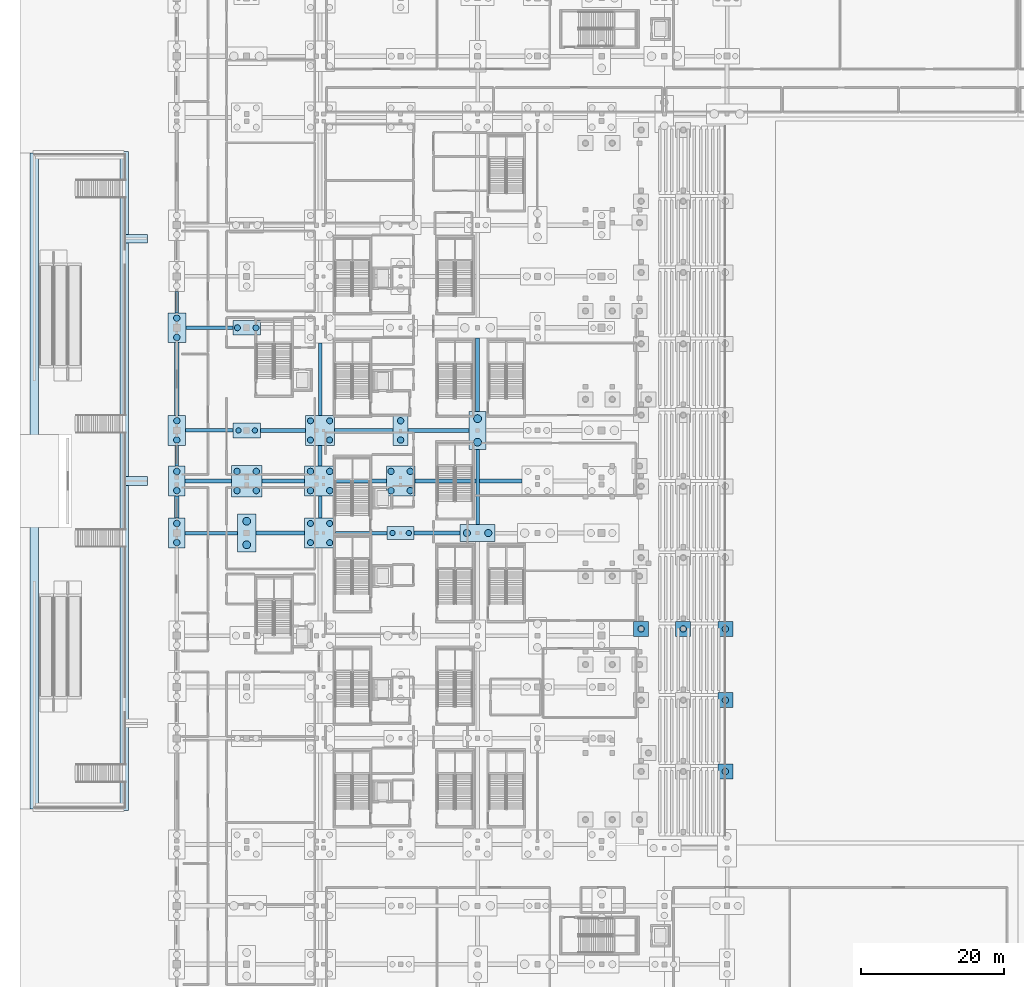
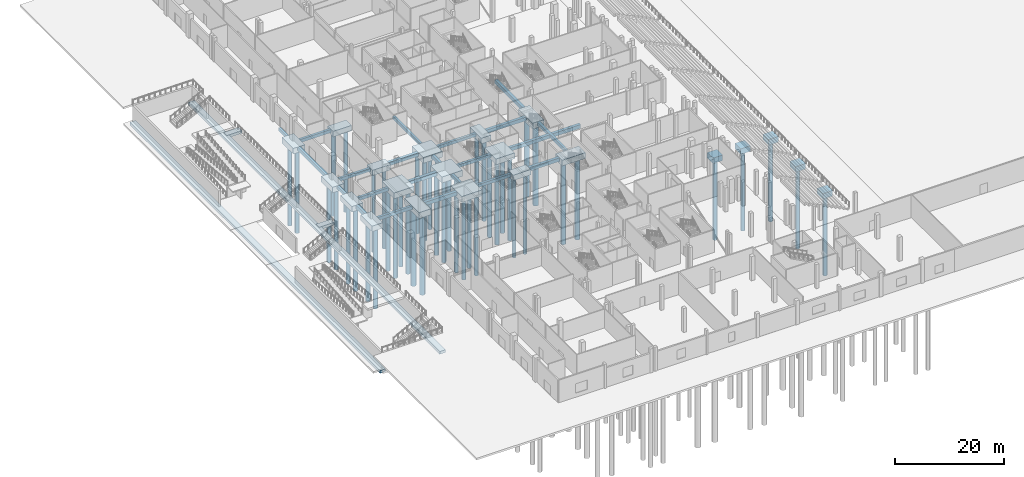
# One storey, part 4 of 89: 47 footings, 47 piles.
"""IFC4 building model written with IfcOpenShell, lengths in metres."""

from ifc_helpers import new_model, si_unit, direction, frame, origin, origin_2d, place, context, subcontext, project, spatial, rectangle, circle, extrude, material, material_profile, profile_set, type_object, element, save


model = new_model("IFC4")

# Units and contexts
model_context = context("Model", 3, precision=1e-05, world=origin(), true_north=direction((0.0, 1.0)))
body_context = subcontext(model_context, "Body", "Model", "MODEL_VIEW")
ifc_project = project(units=[si_unit("LENGTHUNIT", "METRE"), si_unit("AREAUNIT", "SQUARE_METRE"), si_unit("VOLUMEUNIT", "CUBIC_METRE"), si_unit("PLANEANGLEUNIT", "RADIAN"), si_unit("MASSUNIT", "GRAM", prefix="KILO")], contexts=[model_context])

# Site, building, storey
site_placement = place(None, origin())
site = spatial("IfcSite", under=ifc_project, at=site_placement, CompositionType="ELEMENT")
building_placement = place(site_placement, origin())
building = spatial("IfcBuilding", under=site, at=building_placement, Name="Koshinbarg Plaza Stadium", CompositionType="ELEMENT")
storey_placement = place(building_placement, origin())
storey = spatial("IfcBuildingStorey", under=building, at=storey_placement, Name="L00", CompositionType="ELEMENT", Elevation=0.0)

# Footings
ifc_material = material(Name="Concrete C35/45", Category="concrete")
ifc_material_profile_1 = material_profile(ifc_material, rectangle(XDim=0.5, YDim=0.699951171875, at=origin_2d()), Name="GB 500x700")
ifc_profile_set_1 = profile_set([ifc_material_profile_1], Name="Concrete C35/45")
footing_type_1 = type_object("IfcFootingType", Name="FT-GB-01", PredefinedType="FOOTING_BEAM", material=ifc_profile_set_1)
footing_1_placement = place(storey_placement, frame((5.139892578125, 68.699951171875, -0.75), z_axis=(1.0, 0.0, 0.0), x_axis=(0.0, 1.0, 0.0)))
element("IfcFooting", 1, at=footing_1_placement, inside=storey, type_object=footing_type_1, Name="Ground footing beam GB-X-089", PredefinedType="FOOTING_BEAM", context=body_context, shape_type="SweptSolid", body=[
    extrude(rectangle(XDim=0.5, YDim=0.699951171875, at=origin_2d()), origin(), (0.0, 0.0, 1.0), 7.380126953125),
])
footing_2_placement = place(storey_placement, frame((26.27001953125, 68.699951171875, -0.800048828125), z_axis=(1.0, 0.0, 0.0), x_axis=(0.0, 1.0, 0.0)))
element("IfcFooting", 2, at=footing_2_placement, inside=storey, type_object=footing_type_1, Name="Ground footing beam GB-X-091", PredefinedType="FOOTING_BEAM", context=body_context, shape_type="SweptSolid", body=[
    extrude(rectangle(XDim=0.5, YDim=0.699951171875, at=origin_2d()), origin(), (0.0, 0.0, 1.0), 7.219970703125),
])
footing_3_placement = place(storey_placement, frame((5.179931640625, 76.0, -0.75), z_axis=(1.0, 0.0, 0.0), x_axis=(0.0, 1.0, 0.0)))
element("IfcFooting", 3, at=footing_3_placement, inside=storey, type_object=footing_type_1, Name="Ground footing beam GB-X-099", PredefinedType="FOOTING_BEAM", context=body_context, shape_type="SweptSolid", body=[
    extrude(rectangle(XDim=0.5, YDim=0.699951171875, at=origin_2d()), origin(), (0.0, 0.0, 1.0), 6.5),
])
footing_4_placement = place(storey_placement, frame((26.31005859375, 76.0, -0.800048828125), z_axis=(1.0, 0.0, 0.0), x_axis=(0.0, 1.0, 0.0)))
element("IfcFooting", 4, at=footing_4_placement, inside=storey, type_object=footing_type_1, Name="Ground footing beam GB-X-101", PredefinedType="FOOTING_BEAM", context=body_context, shape_type="SweptSolid", body=[
    extrude(rectangle(XDim=0.5, YDim=0.699951171875, at=origin_2d()), origin(), (0.0, 0.0, 1.0), 7.08984375),
])
footing_5_placement = place(storey_placement, frame((5.219970703125, 83.10009765625, -0.75), z_axis=(1.0, 0.0, 0.0), x_axis=(0.0, 1.0, 0.0)))
element("IfcFooting", 5, at=footing_5_placement, inside=storey, type_object=footing_type_1, Name="Ground footing beam GB-X-107", PredefinedType="FOOTING_BEAM", context=body_context, shape_type="SweptSolid", body=[
    extrude(rectangle(XDim=0.5, YDim=0.699951171875, at=origin_2d()), origin(), (0.0, 0.0, 1.0), 6.669921875),
])
footing_6_placement = place(storey_placement, frame((26.14990234375, 83.10009765625, -0.800048828125), z_axis=(1.0, 0.0, 0.0), x_axis=(0.0, 1.0, 0.0)))
element("IfcFooting", 6, at=footing_6_placement, inside=storey, type_object=footing_type_1, Name="Ground footing beam GB-X-109", PredefinedType="FOOTING_BEAM", context=body_context, shape_type="SweptSolid", body=[
    extrude(rectangle(XDim=0.5, YDim=0.699951171875, at=origin_2d()), origin(), (0.0, 0.0, 1.0), 8.210205078125),
])
footing_7_placement = place(storey_placement, frame((5.260009765625, 97.5, -0.75), z_axis=(1.0, 0.0, 0.0), x_axis=(0.0, 1.0, 0.0)))
element("IfcFooting", 7, at=footing_7_placement, inside=storey, type_object=footing_type_1, Name="Ground footing beam GB-X-117", PredefinedType="FOOTING_BEAM", context=body_context, shape_type="SweptSolid", body=[
    extrude(rectangle(XDim=0.5, YDim=0.699951171875, at=origin_2d()), origin(), (0.0, 0.0, 1.0), 6.590087890625),
])
footing_8_placement = place(storey_placement, frame((4.0, 78.090087890625, -0.75), z_axis=(0.0, 1.0, 0.0), x_axis=(-1.0, 0.0, 0.0)))
element("IfcFooting", 8, at=footing_8_placement, inside=storey, type_object=footing_type_1, Name="Ground footing beam GB-Y-197", PredefinedType="FOOTING_BEAM", context=body_context, shape_type="SweptSolid", body=[
    extrude(rectangle(XDim=0.5, YDim=0.699951171875, at=origin_2d()), origin(), (0.0, 0.0, 1.0), 2.919921875),
])
footing_9_placement = place(storey_placement, frame((4.0, 99.590087890625, -0.75), z_axis=(0.0, 1.0, 0.0), x_axis=(-1.0, 0.0, 0.0)))
element("IfcFooting", 9, at=footing_9_placement, inside=storey, type_object=footing_type_1, Name="Ground footing beam GB-Y-199", PredefinedType="FOOTING_BEAM", context=body_context, shape_type="SweptSolid", body=[
    extrude(rectangle(XDim=0.5, YDim=0.699951171875, at=origin_2d()), origin(), (0.0, 0.0, 1.0), 2.97998046875),
])
footing_10_placement = place(storey_placement, frame((24.10009765625, 70.780029296875, -0.800048828125), z_axis=(0.0, 1.0, 0.0), x_axis=(-1.0, 0.0, 0.0)))
element("IfcFooting", 10, at=footing_10_placement, inside=storey, type_object=footing_type_1, Name="Ground footing beam GB-Y-211", PredefinedType="FOOTING_BEAM", context=body_context, shape_type="SweptSolid", body=[
    extrude(rectangle(XDim=0.5, YDim=0.699951171875, at=origin_2d()), origin(), (0.0, 0.0, 1.0), 3.090087890625),
])
footing_11_placement = place(storey_placement, frame((24.10009765625, 85.219970703125, -0.800048828125), z_axis=(0.0, 1.0, 0.0), x_axis=(-1.0, 0.0, 0.0)))
element("IfcFooting", 11, at=footing_11_placement, inside=storey, type_object=footing_type_1, Name="Ground footing beam GB-Y-213", PredefinedType="FOOTING_BEAM", context=body_context, shape_type="SweptSolid", body=[
    extrude(rectangle(XDim=0.5, YDim=0.699951171875, at=origin_2d()), origin(), (0.0, 0.0, 1.0), 10.159912109375),
])
footing_12_placement = place(storey_placement, frame((46.199951171875, 69.919921875, -0.800048828125), z_axis=(0.0, 1.0, 0.0), x_axis=(-1.0, 0.0, 0.0)))
element("IfcFooting", 12, at=footing_12_placement, inside=storey, type_object=footing_type_1, Name="Ground footing beam GB-Y-225", PredefinedType="FOOTING_BEAM", context=body_context, shape_type="SweptSolid", body=[
    extrude(rectangle(XDim=0.5, YDim=0.699951171875, at=origin_2d()), origin(), (0.0, 0.0, 1.0), 10.52001953125),
])
ifc_material_profile_2 = material_profile(ifc_material, rectangle(XDim=0.60009765625, YDim=0.800048828125, at=origin_2d()), Name="GB 600x800")
ifc_profile_set_2 = profile_set([ifc_material_profile_2], Name="Concrete C35/45")
footing_type_2 = type_object("IfcFootingType", Name="FT-GB-02", PredefinedType="FOOTING_BEAM", material=ifc_profile_set_2)
footing_13_placement = place(storey_placement, frame((15.080078125, 68.699951171875, -0.85009765625), z_axis=(1.0, 0.0, 0.0), x_axis=(0.0, 1.0, 0.0)))
element("IfcFooting", 13, at=footing_13_placement, inside=storey, type_object=footing_type_2, Name="Ground footing beam GB-X-090", PredefinedType="FOOTING_BEAM", context=body_context, shape_type="SweptSolid", body=[
    extrude(rectangle(XDim=0.60009765625, YDim=0.800048828125, at=origin_2d()), origin(), (0.0, 0.0, 1.0), 6.849853515625),
])
footing_14_placement = place(storey_placement, frame((37.31005859375, 68.699951171875, -0.85009765625), z_axis=(1.0, 0.0, 0.0), x_axis=(0.0, 1.0, 0.0)))
element("IfcFooting", 14, at=footing_14_placement, inside=storey, type_object=footing_type_2, Name="Ground footing beam GB-X-092", PredefinedType="FOOTING_BEAM", context=body_context, shape_type="SweptSolid", body=[
    extrude(rectangle(XDim=0.60009765625, YDim=0.800048828125, at=origin_2d()), origin(), (0.0, 0.0, 1.0), 6.429931640625),
])
footing_15_placement = place(storey_placement, frame((15.919921875, 76.0, -0.85009765625), z_axis=(1.0, 0.0, 0.0), x_axis=(0.0, 1.0, 0.0)))
element("IfcFooting", 15, at=footing_15_placement, inside=storey, type_object=footing_type_2, Name="Ground footing beam GB-X-100", PredefinedType="FOOTING_BEAM", context=body_context, shape_type="SweptSolid", body=[
    extrude(rectangle(XDim=0.60009765625, YDim=0.800048828125, at=origin_2d()), origin(), (0.0, 0.0, 1.0), 5.969970703125),
])
footing_16_placement = place(storey_placement, frame((37.39990234375, 76.0, -0.85009765625), z_axis=(1.0, 0.0, 0.0), x_axis=(0.0, 1.0, 0.0)))
element("IfcFooting", 16, at=footing_16_placement, inside=storey, type_object=footing_type_2, Name="Ground footing beam GB-X-102", PredefinedType="FOOTING_BEAM", context=body_context, shape_type="SweptSolid", body=[
    extrude(rectangle(XDim=0.60009765625, YDim=0.800048828125, at=origin_2d()), origin(), (0.0, 0.0, 1.0), 15.0400390625),
])
footing_17_placement = place(storey_placement, frame((15.7099609375, 83.10009765625, -0.85009765625), z_axis=(1.0, 0.0, 0.0), x_axis=(0.0, 1.0, 0.0)))
element("IfcFooting", 17, at=footing_17_placement, inside=storey, type_object=footing_type_2, Name="Ground footing beam GB-X-108", PredefinedType="FOOTING_BEAM", context=body_context, shape_type="SweptSolid", body=[
    extrude(rectangle(XDim=0.60009765625, YDim=0.800048828125, at=origin_2d()), origin(), (0.0, 0.0, 1.0), 6.340087890625),
])
footing_18_placement = place(storey_placement, frame((36.43994140625, 83.10009765625, -0.85009765625), z_axis=(1.0, 0.0, 0.0), x_axis=(0.0, 1.0, 0.0)))
element("IfcFooting", 18, at=footing_18_placement, inside=storey, type_object=footing_type_2, Name="Ground footing beam GB-X-110", PredefinedType="FOOTING_BEAM", context=body_context, shape_type="SweptSolid", body=[
    extrude(rectangle(XDim=0.60009765625, YDim=0.800048828125, at=origin_2d()), origin(), (0.0, 0.0, 1.0), 8.56005859375),
])
footing_19_placement = place(storey_placement, frame((4.0, 70.7900390625, -0.800048828125), z_axis=(0.0, 1.0, 0.0), x_axis=(-1.0, 0.0, 0.0)))
element("IfcFooting", 19, at=footing_19_placement, inside=storey, type_object=footing_type_2, Name="Ground footing beam GB-Y-196", PredefinedType="FOOTING_BEAM", context=body_context, shape_type="SweptSolid", body=[
    extrude(rectangle(XDim=0.60009765625, YDim=0.800048828125, at=origin_2d()), origin(), (0.0, 0.0, 1.0), 3.119873046875),
])
footing_20_placement = place(storey_placement, frame((4.0, 85.18994140625, -0.800048828125), z_axis=(0.0, 1.0, 0.0), x_axis=(-1.0, 0.0, 0.0)))
element("IfcFooting", 20, at=footing_20_placement, inside=storey, type_object=footing_type_2, Name="Ground footing beam GB-Y-198", PredefinedType="FOOTING_BEAM", context=body_context, shape_type="SweptSolid", body=[
    extrude(rectangle(XDim=0.60009765625, YDim=0.800048828125, at=origin_2d()), origin(), (0.0, 0.0, 1.0), 10.219970703125),
])
footing_21_placement = place(storey_placement, frame((24.10009765625, 78.1298828125, -0.85009765625), z_axis=(0.0, 1.0, 0.0), x_axis=(-1.0, 0.0, 0.0)))
element("IfcFooting", 21, at=footing_21_placement, inside=storey, type_object=footing_type_2, Name="Ground footing beam GB-Y-212", PredefinedType="FOOTING_BEAM", context=body_context, shape_type="SweptSolid", body=[
    extrude(rectangle(XDim=0.60009765625, YDim=0.800048828125, at=origin_2d()), origin(), (0.0, 0.0, 1.0), 2.85009765625),
])
footing_22_placement = place(storey_placement, frame((46.199951171875, 85.760009765625, -0.85009765625), z_axis=(0.0, 1.0, 0.0), x_axis=(-1.0, 0.0, 0.0)))
element("IfcFooting", 22, at=footing_22_placement, inside=storey, type_object=footing_type_2, Name="Ground footing beam GB-Y-226", PredefinedType="FOOTING_BEAM", context=body_context, shape_type="SweptSolid", body=[
    extrude(rectangle(XDim=0.60009765625, YDim=0.800048828125, at=origin_2d()), origin(), (0.0, 0.0, 1.0), 10.280029296875),
])
footing_type_3 = type_object("IfcFootingType", Name="FT-PC-208x418x125", PredefinedType="PILE_CAP", material=ifc_material)
footing_23_placement = place(storey_placement, frame((35.39990234375, 83.10009765625, -1.699951171875), z_axis=(0.0, 0.0, 1.0), x_axis=(1.0, 0.0, 0.0)))
element("IfcFooting", 23, at=footing_23_placement, inside=storey, type_object=footing_type_3, Name="Bored pile cap CAP-057", PredefinedType="PILE_CAP", context=body_context, shape_type="SweptSolid", body=[
    extrude(rectangle(XDim=2.080078125, YDim=4.179931640625, at=origin_2d()), origin(), (0.0, 0.0, 1.0), 1.25),
])
footing_type_4 = type_object("IfcFootingType", Name="FT-PC-210x210x125", PredefinedType="PILE_CAP", material=ifc_material)
for number, where, z_axis, x_axis, name in (
    (24, (80.9599609375, 35.25, -1.699951171875), (0.0, 0.0, 1.0), (1.0, 0.0, 0.0), "Bowl raker pile cap LT-W01-R-F"),
    (25, (80.9599609375, 45.25, -1.699951171875), (0.0, 0.0, 1.0), (1.0, 0.0, 0.0), "Bowl raker pile cap LT-W02-R-F"),
    (26, (80.9599609375, 55.25, -1.699951171875), (0.0, 0.0, 1.0), (1.0, 0.0, 0.0), "Bowl raker pile cap LT-W03-R-F"),
    (27, (75.050048828125, 55.25, -1.699951171875), (0.0, 0.0, 1.0), (1.0, 0.0, 0.0), "Bowl raker pile cap LT-W03-R-M"),
    (28, (69.139892578125, 55.25, -1.699951171875), (0.0, 0.0, 1.0), (1.0, 0.0, 0.0), "Bowl raker pile cap LT-W03-R-B"),
):
    element("IfcFooting", number, at=place(storey_placement, frame(where, z_axis=z_axis, x_axis=x_axis)), inside=storey, type_object=footing_type_4, Name=name, PredefinedType="PILE_CAP", context=body_context, shape_type="SweptSolid", body=[
        extrude(rectangle(XDim=2.10009765625, YDim=2.10009765625, at=origin_2d()), origin(), (0.0, 0.0, 1.0), 1.25),
    ])
footing_type_5 = type_object("IfcFootingType", Name="FT-PC-228x418x125", PredefinedType="PILE_CAP", material=ifc_material)
footing_24_placement = place(storey_placement, frame((4.0, 68.699951171875, -1.64990234375), z_axis=(0.0, 0.0, 1.0), x_axis=(1.0, 0.0, 0.0)))
element("IfcFooting", 29, at=footing_24_placement, inside=storey, type_object=footing_type_5, Name="Bored pile cap CAP-007", PredefinedType="PILE_CAP", context=body_context, shape_type="SweptSolid", body=[
    extrude(rectangle(XDim=2.280029296875, YDim=4.179931640625, at=origin_2d()), origin(), (0.0, 0.0, 1.0), 1.25),
])
footing_type_6 = type_object("IfcFootingType", Name="FT-PC-236x418x125", PredefinedType="PILE_CAP", material=ifc_material)
footing_25_placement = place(storey_placement, frame((4.0, 76.0, -1.64990234375), z_axis=(0.0, 0.0, 1.0), x_axis=(1.0, 0.0, 0.0)))
element("IfcFooting", 30, at=footing_25_placement, inside=storey, type_object=footing_type_6, Name="Bored pile cap CAP-008", PredefinedType="PILE_CAP", context=body_context, shape_type="SweptSolid", body=[
    extrude(rectangle(XDim=2.360107421875, YDim=4.179931640625, at=origin_2d()), origin(), (0.0, 0.0, 1.0), 1.25),
])
footing_type_7 = type_object("IfcFootingType", Name="FT-PC-240x532x135", PredefinedType="PILE_CAP", material=ifc_material)
footing_26_placement = place(storey_placement, frame((46.199951171875, 83.10009765625, -1.800048828125), z_axis=(0.0, 0.0, 1.0), x_axis=(1.0, 0.0, 0.0)))
element("IfcFooting", 31, at=footing_26_placement, inside=storey, type_object=footing_type_7, Name="Bored pile cap CAP-071", PredefinedType="PILE_CAP", context=body_context, shape_type="SweptSolid", body=[
    extrude(rectangle(XDim=2.39990234375, YDim=5.320068359375, at=origin_2d()), origin(), (0.0, 0.0, 1.0), 1.35009765625),
])
footing_type_8 = type_object("IfcFootingType", Name="FT-PC-244x418x125", PredefinedType="PILE_CAP", material=ifc_material)
footing_27_placement = place(storey_placement, frame((4.0, 83.10009765625, -1.64990234375), z_axis=(0.0, 0.0, 1.0), x_axis=(1.0, 0.0, 0.0)))
element("IfcFooting", 32, at=footing_27_placement, inside=storey, type_object=footing_type_8, Name="Bored pile cap CAP-009", PredefinedType="PILE_CAP", context=body_context, shape_type="SweptSolid", body=[
    extrude(rectangle(XDim=2.43994140625, YDim=4.179931640625, at=origin_2d()), origin(), (0.0, 0.0, 1.0), 1.25),
])
footing_type_9 = type_object("IfcFootingType", Name="FT-PC-252x418x125", PredefinedType="PILE_CAP", material=ifc_material)
footing_28_placement = place(storey_placement, frame((4.0, 97.5, -1.64990234375), z_axis=(0.0, 0.0, 1.0), x_axis=(1.0, 0.0, 0.0)))
element("IfcFooting", 33, at=footing_28_placement, inside=storey, type_object=footing_type_9, Name="Bored pile cap CAP-010", PredefinedType="PILE_CAP", context=body_context, shape_type="SweptSolid", body=[
    extrude(rectangle(XDim=2.52001953125, YDim=4.179931640625, at=origin_2d()), origin(), (0.0, 0.0, 1.0), 1.25),
])
footing_type_10 = type_object("IfcFootingType", Name="FT-PC-256x532x135", PredefinedType="PILE_CAP", material=ifc_material)
footing_29_placement = place(storey_placement, frame((13.800048828125, 68.699951171875, -1.75), z_axis=(0.0, 0.0, 1.0), x_axis=(1.0, 0.0, 0.0)))
element("IfcFooting", 34, at=footing_29_placement, inside=storey, type_object=footing_type_10, Name="Bored pile cap CAP-023", PredefinedType="PILE_CAP", context=body_context, shape_type="SweptSolid", body=[
    extrude(rectangle(XDim=2.56005859375, YDim=5.320068359375, at=origin_2d()), origin(), (0.0, 0.0, 1.0), 1.35009765625),
])
footing_type_11 = type_object("IfcFootingType", Name="FT-PC-382x180x120", PredefinedType="PILE_CAP", material=ifc_material)
footing_30_placement = place(storey_placement, frame((35.39990234375, 68.699951171875, -1.64990234375), z_axis=(0.0, 0.0, 1.0), x_axis=(1.0, 0.0, 0.0)))
element("IfcFooting", 35, at=footing_30_placement, inside=storey, type_object=footing_type_11, Name="Bored pile cap CAP-055", PredefinedType="PILE_CAP", context=body_context, shape_type="SweptSolid", body=[
    extrude(rectangle(XDim=3.820068359375, YDim=1.800048828125, at=origin_2d()), origin(), (0.0, 0.0, 1.0), 1.199951171875),
])
footing_type_12 = type_object("IfcFootingType", Name="FT-PC-382x212x120", PredefinedType="PILE_CAP", material=ifc_material)
footing_31_placement = place(storey_placement, frame((13.800048828125, 83.10009765625, -1.60009765625), z_axis=(0.0, 0.0, 1.0), x_axis=(1.0, 0.0, 0.0)))
element("IfcFooting", 36, at=footing_31_placement, inside=storey, type_object=footing_type_12, Name="Bored pile cap CAP-025", PredefinedType="PILE_CAP", context=body_context, shape_type="SweptSolid", body=[
    extrude(rectangle(XDim=3.820068359375, YDim=2.1201171875, at=origin_2d()), origin(), (0.0, 0.0, 1.0), 1.199951171875),
])
footing_type_13 = type_object("IfcFootingType", Name="FT-PC-390x200x125", PredefinedType="PILE_CAP", material=ifc_material)
footing_32_placement = place(storey_placement, frame((13.800048828125, 97.5, -1.64990234375), z_axis=(0.0, 0.0, 1.0), x_axis=(1.0, 0.0, 0.0)))
element("IfcFooting", 37, at=footing_32_placement, inside=storey, type_object=footing_type_13, Name="Bored pile cap CAP-026", PredefinedType="PILE_CAP", context=body_context, shape_type="SweptSolid", body=[
    extrude(rectangle(XDim=3.89990234375, YDim=2.0, at=origin_2d()), origin(), (0.0, 0.0, 1.0), 1.25),
])
footing_type_14 = type_object("IfcFootingType", Name="FT-PC-400x418x130", PredefinedType="PILE_CAP", material=ifc_material)
footing_33_placement = place(storey_placement, frame((35.39990234375, 76.0, -1.75), z_axis=(0.0, 0.0, 1.0), x_axis=(1.0, 0.0, 0.0)))
element("IfcFooting", 38, at=footing_33_placement, inside=storey, type_object=footing_type_14, Name="Bored pile cap CAP-056", PredefinedType="PILE_CAP", context=body_context, shape_type="SweptSolid", body=[
    extrude(rectangle(XDim=4.0, YDim=4.179931640625, at=origin_2d()), origin(), (0.0, 0.0, 1.0), 1.300048828125),
])
footing_type_15 = type_object("IfcFootingType", Name="FT-PC-410x424x130", PredefinedType="PILE_CAP", material=ifc_material)
footing_34_placement = place(storey_placement, frame((24.10009765625, 83.10009765625, -1.75), z_axis=(0.0, 0.0, 1.0), x_axis=(1.0, 0.0, 0.0)))
element("IfcFooting", 39, at=footing_34_placement, inside=storey, type_object=footing_type_15, Name="Bored pile cap CAP-041", PredefinedType="PILE_CAP", context=body_context, shape_type="SweptSolid", body=[
    extrude(rectangle(XDim=4.10009765625, YDim=4.239990234375, at=origin_2d()), origin(), (0.0, 0.0, 1.0), 1.300048828125),
])
footing_type_16 = type_object("IfcFootingType", Name="FT-PC-424x442x130", PredefinedType="PILE_CAP", material=ifc_material)
footing_35_placement = place(storey_placement, frame((13.800048828125, 76.0, -1.7001953125), z_axis=(0.0, 0.0, 1.0), x_axis=(1.0, 0.0, 0.0)))
element("IfcFooting", 40, at=footing_35_placement, inside=storey, type_object=footing_type_16, Name="Bored pile cap CAP-024", PredefinedType="PILE_CAP", context=body_context, shape_type="SweptSolid", body=[
    extrude(rectangle(XDim=4.239990234375, YDim=4.419921875, at=origin_2d()), origin(), (0.0, 0.0, 1.0), 1.300048828125),
])
footing_type_17 = type_object("IfcFootingType", Name="FT-PC-434x416x130", PredefinedType="PILE_CAP", material=ifc_material)
footing_36_placement = place(storey_placement, frame((24.10009765625, 68.699951171875, -1.75), z_axis=(0.0, 0.0, 1.0), x_axis=(1.0, 0.0, 0.0)))
element("IfcFooting", 41, at=footing_36_placement, inside=storey, type_object=footing_type_17, Name="Bored pile cap CAP-039", PredefinedType="PILE_CAP", context=body_context, shape_type="SweptSolid", body=[
    extrude(rectangle(XDim=4.340087890625, YDim=4.159912109375, at=origin_2d()), origin(), (0.0, 0.0, 1.0), 1.300048828125),
])
footing_type_18 = type_object("IfcFootingType", Name="FT-PC-442x426x135", PredefinedType="PILE_CAP", material=ifc_material)
footing_37_placement = place(storey_placement, frame((24.10009765625, 76.0, -1.800048828125), z_axis=(0.0, 0.0, 1.0), x_axis=(1.0, 0.0, 0.0)))
element("IfcFooting", 42, at=footing_37_placement, inside=storey, type_object=footing_type_18, Name="Bored pile cap CAP-040", PredefinedType="PILE_CAP", context=body_context, shape_type="SweptSolid", body=[
    extrude(rectangle(XDim=4.419921875, YDim=4.260009765625, at=origin_2d()), origin(), (0.0, 0.0, 1.0), 1.35009765625),
])
footing_type_19 = type_object("IfcFootingType", Name="FT-PC-492x244x130", PredefinedType="PILE_CAP", material=ifc_material)
footing_38_placement = place(storey_placement, frame((46.199951171875, 68.699951171875, -1.75), z_axis=(0.0, 0.0, 1.0), x_axis=(1.0, 0.0, 0.0)))
element("IfcFooting", 43, at=footing_38_placement, inside=storey, type_object=footing_type_19, Name="Bored pile cap CAP-070", PredefinedType="PILE_CAP", context=body_context, shape_type="SweptSolid", body=[
    extrude(rectangle(XDim=4.919921875, YDim=2.43994140625, at=origin_2d()), origin(), (0.0, 0.0, 1.0), 1.300048828125),
])
ifc_material_profile_3 = material_profile(ifc_material, rectangle(XDim=1.199951171875, YDim=0.60009765625, at=origin_2d()), Name="SF 1200x600")
ifc_profile_set_3 = profile_set([ifc_material_profile_3], Name="Concrete C35/45")
footing_type_20 = type_object("IfcFootingType", Name="FT-SF-1200x600", PredefinedType="STRIP_FOOTING", material=ifc_profile_set_3)
footing_39_placement = place(storey_placement, frame((-3.39990234375, 29.800048828125, -4.14990234375), z_axis=(0.0, 1.0, 0.0), x_axis=(-1.0, 0.0, 0.0)))
element("IfcFooting", 44, at=footing_39_placement, inside=storey, type_object=footing_type_20, Name="Forecourt strip footing 01", PredefinedType="STRIP_FOOTING", context=body_context, shape_type="SweptSolid", body=[
    extrude(rectangle(XDim=1.199951171875, YDim=0.60009765625, at=origin_2d()), origin(), (0.0, 0.0, 1.0), 92.39990234375),
])
footing_40_placement = place(storey_placement, frame((-16.0, 30.0, -4.14990234375), z_axis=(0.0, 1.0, 0.0), x_axis=(-1.0, 0.0, 0.0)))
element("IfcFooting", 45, at=footing_40_placement, inside=storey, type_object=footing_type_20, Name="Forecourt strip footing 04", PredefinedType="STRIP_FOOTING", context=body_context, shape_type="SweptSolid", body=[
    extrude(rectangle(XDim=1.199951171875, YDim=0.60009765625, at=origin_2d()), origin(), (0.0, 0.0, 1.0), 92.0),
])
for number, where, z_axis, x_axis, name in (
    (46, (-3.300048828125, 76.0, -4.14990234375), (1.0, 0.0, 0.0), (0.0, 1.0, 0.0), "Forecourt rim buttress footing 76"),
    (47, (-3.300048828125, 110.0, -4.14990234375), (1.0, 0.0, 0.0), (0.0, 1.0, 0.0), "Forecourt rim buttress footing 110"),
):
    element("IfcFooting", number, at=place(storey_placement, frame(where, z_axis=z_axis, x_axis=x_axis)), inside=storey, type_object=footing_type_20, Name=name, PredefinedType="STRIP_FOOTING", context=body_context, shape_type="SweptSolid", body=[
        extrude(rectangle(XDim=1.199951171875, YDim=0.60009765625, at=origin_2d()), origin(), (0.0, 0.0, 1.0), 3.199951171875),
    ])

# Piles
ifc_material_profile_4 = material_profile(ifc_material, circle(Radius=0.5, at=origin_2d()), Name="PILE D1000")
ifc_profile_set_4 = profile_set([ifc_material_profile_4], Name="Concrete C35/45")
pile_type_1 = type_object("IfcPileType", Name="PL-D1000", PredefinedType="BORED", material=ifc_profile_set_4)
for number, where, z_axis, x_axis, name in (
    (48, (44.699951171875, 68.699951171875, -1.64990234375), (0.0, 0.0, -1.0), (1.0, 0.0, 0.0), "Bored pile CAP-070-1"),
    (49, (47.699951171875, 68.699951171875, -1.64990234375), (0.0, 0.0, -1.0), (1.0, 0.0, 0.0), "Bored pile CAP-070-2"),
):
    element("IfcPile", number, at=place(storey_placement, frame(where, z_axis=z_axis, x_axis=x_axis)), inside=storey, type_object=pile_type_1, Name=name, PredefinedType="BORED", context=body_context, shape_type="SweptSolid", body=[
        extrude(circle(Radius=0.5, at=origin_2d()), origin(), (0.0, 0.0, 1.0), 18.5),
    ])
ifc_material_profile_5 = material_profile(ifc_material, circle(Radius=0.550048828125, at=origin_2d()), Name="PILE D1100")
ifc_profile_set_5 = profile_set([ifc_material_profile_5], Name="Concrete C35/45")
pile_type_2 = type_object("IfcPileType", Name="PL-D1100", PredefinedType="BORED", material=ifc_profile_set_5)
for number, where, z_axis, x_axis, name in (
    (50, (13.800048828125, 67.050048828125, -1.64990234375), (0.0, 0.0, -1.0), (1.0, 0.0, 0.0), "Bored pile CAP-023-1"),
    (51, (13.800048828125, 70.35009765625, -1.64990234375), (0.0, 0.0, -1.0), (1.0, 0.0, 0.0), "Bored pile CAP-023-2"),
    (52, (46.199951171875, 81.449951171875, -1.699951171875), (0.0, 0.0, -1.0), (1.0, 0.0, 0.0), "Bored pile CAP-071-1"),
    (53, (46.199951171875, 84.75, -1.699951171875), (0.0, 0.0, -1.0), (1.0, 0.0, 0.0), "Bored pile CAP-071-2"),
):
    element("IfcPile", number, at=place(storey_placement, frame(where, z_axis=z_axis, x_axis=x_axis)), inside=storey, type_object=pile_type_2, Name=name, PredefinedType="BORED", context=body_context, shape_type="SweptSolid", body=[
        extrude(circle(Radius=0.550048828125, at=origin_2d()), origin(), (0.0, 0.0, 1.0), 18.0),
    ])
ifc_material_profile_6 = material_profile(ifc_material, circle(Radius=0.375, at=origin_2d()), Name="PILE D750")
ifc_profile_set_6 = profile_set([ifc_material_profile_6], Name="Concrete C35/45")
pile_type_3 = type_object("IfcPileType", Name="PL-D750", PredefinedType="BORED", material=ifc_profile_set_6)
for number, where, z_axis, x_axis, name in (
    (54, (12.64990234375, 83.10009765625, -1.5), (0.0, 0.0, -1.0), (1.0, 0.0, 0.0), "Bored pile CAP-025-1"),
    (55, (14.949951171875, 83.10009765625, -1.5), (0.0, 0.0, -1.0), (1.0, 0.0, 0.0), "Bored pile CAP-025-2"),
    (56, (34.25, 68.699951171875, -1.550048828125), (0.0, 0.0, -1.0), (1.0, 0.0, 0.0), "Bored pile CAP-055-1"),
    (57, (36.550048828125, 68.699951171875, -1.550048828125), (0.0, 0.0, -1.0), (1.0, 0.0, 0.0), "Bored pile CAP-055-2"),
):
    element("IfcPile", number, at=place(storey_placement, frame(where, z_axis=z_axis, x_axis=x_axis)), inside=storey, type_object=pile_type_3, Name=name, PredefinedType="BORED", context=body_context, shape_type="SweptSolid", body=[
        extrude(circle(Radius=0.375, at=origin_2d()), origin(), (0.0, 0.0, 1.0), 18.0),
    ])
ifc_material_profile_7 = material_profile(ifc_material, circle(Radius=0.425048828125, at=origin_2d()), Name="PILE D850")
ifc_profile_set_7 = profile_set([ifc_material_profile_7], Name="Concrete C35/45")
pile_type_4 = type_object("IfcPileType", Name="PL-D850", PredefinedType="BORED", material=ifc_profile_set_7)
for number, where, z_axis, x_axis, name in (
    (58, (12.5, 97.5, -1.550048828125), (0.0, 0.0, -1.0), (1.0, 0.0, 0.0), "Bored pile CAP-026-1"),
    (59, (15.10009765625, 97.5, -1.550048828125), (0.0, 0.0, -1.0), (1.0, 0.0, 0.0), "Bored pile CAP-026-2"),
):
    element("IfcPile", number, at=place(storey_placement, frame(where, z_axis=z_axis, x_axis=x_axis)), inside=storey, type_object=pile_type_4, Name=name, PredefinedType="BORED", context=body_context, shape_type="SweptSolid", body=[
        extrude(circle(Radius=0.425048828125, at=origin_2d()), origin(), (0.0, 0.0, 1.0), 18.5),
    ])
for number, where, z_axis, x_axis, name in (
    (60, (22.75, 67.35009765625, -1.64990234375), (0.0, 0.0, -1.0), (1.0, 0.0, 0.0), "Bored pile CAP-039-1"),
    (61, (25.449951171875, 67.35009765625, -1.64990234375), (0.0, 0.0, -1.0), (1.0, 0.0, 0.0), "Bored pile CAP-039-2"),
    (62, (22.75, 70.050048828125, -1.64990234375), (0.0, 0.0, -1.0), (1.0, 0.0, 0.0), "Bored pile CAP-039-3"),
    (63, (25.449951171875, 70.050048828125, -1.64990234375), (0.0, 0.0, -1.0), (1.0, 0.0, 0.0), "Bored pile CAP-039-4"),
    (64, (22.75, 81.75, -1.64990234375), (0.0, 0.0, -1.0), (1.0, 0.0, 0.0), "Bored pile CAP-041-1"),
    (65, (25.449951171875, 81.75, -1.64990234375), (0.0, 0.0, -1.0), (1.0, 0.0, 0.0), "Bored pile CAP-041-2"),
    (66, (22.75, 84.449951171875, -1.64990234375), (0.0, 0.0, -1.0), (1.0, 0.0, 0.0), "Bored pile CAP-041-3"),
    (67, (25.449951171875, 84.449951171875, -1.64990234375), (0.0, 0.0, -1.0), (1.0, 0.0, 0.0), "Bored pile CAP-041-4"),
):
    element("IfcPile", number, at=place(storey_placement, frame(where, z_axis=z_axis, x_axis=x_axis)), inside=storey, type_object=pile_type_4, Name=name, PredefinedType="BORED", context=body_context, shape_type="SweptSolid", body=[
        extrude(circle(Radius=0.425048828125, at=origin_2d()), origin(), (0.0, 0.0, 1.0), 18.0),
    ])
ifc_material_profile_8 = material_profile(ifc_material, circle(Radius=0.449951171875, at=origin_2d()), Name="PILE D900")
ifc_profile_set_8 = profile_set([ifc_material_profile_8], Name="Concrete C35/45")
pile_type_5 = type_object("IfcPileType", Name="PL-D900", PredefinedType="BORED", material=ifc_profile_set_8)
for number, where, z_axis, x_axis, name in (
    (68, (4.0, 67.35009765625, -1.550048828125), (0.0, 0.0, -1.0), (1.0, 0.0, 0.0), "Bored pile CAP-007-1"),
    (69, (4.0, 70.050048828125, -1.550048828125), (0.0, 0.0, -1.0), (1.0, 0.0, 0.0), "Bored pile CAP-007-2"),
):
    element("IfcPile", number, at=place(storey_placement, frame(where, z_axis=z_axis, x_axis=x_axis)), inside=storey, type_object=pile_type_5, Name=name, PredefinedType="BORED", context=body_context, shape_type="SweptSolid", body=[
        extrude(circle(Radius=0.449951171875, at=origin_2d()), origin(), (0.0, 0.0, 1.0), 18.0),
    ])
for number, where, z_axis, x_axis, name in (
    (70, (4.0, 74.64990234375, -1.550048828125), (0.0, 0.0, -1.0), (1.0, 0.0, 0.0), "Bored pile CAP-008-1"),
    (71, (4.0, 77.35009765625, -1.550048828125), (0.0, 0.0, -1.0), (1.0, 0.0, 0.0), "Bored pile CAP-008-2"),
):
    element("IfcPile", number, at=place(storey_placement, frame(where, z_axis=z_axis, x_axis=x_axis)), inside=storey, type_object=pile_type_5, Name=name, PredefinedType="BORED", context=body_context, shape_type="SweptSolid", body=[
        extrude(circle(Radius=0.449951171875, at=origin_2d()), origin(), (0.0, 0.0, 1.0), 18.5),
    ])
for number, where, z_axis, x_axis, name in (
    (72, (4.0, 81.75, -1.550048828125), (0.0, 0.0, -1.0), (1.0, 0.0, 0.0), "Bored pile CAP-009-1"),
    (73, (4.0, 84.449951171875, -1.550048828125), (0.0, 0.0, -1.0), (1.0, 0.0, 0.0), "Bored pile CAP-009-2"),
):
    element("IfcPile", number, at=place(storey_placement, frame(where, z_axis=z_axis, x_axis=x_axis)), inside=storey, type_object=pile_type_5, Name=name, PredefinedType="BORED", context=body_context, shape_type="SweptSolid", body=[
        extrude(circle(Radius=0.449951171875, at=origin_2d()), origin(), (0.0, 0.0, 1.0), 18.0),
    ])
for number, where, z_axis, x_axis, name in (
    (74, (4.0, 96.14990234375, -1.550048828125), (0.0, 0.0, -1.0), (1.0, 0.0, 0.0), "Bored pile CAP-010-1"),
    (75, (4.0, 98.85009765625, -1.550048828125), (0.0, 0.0, -1.0), (1.0, 0.0, 0.0), "Bored pile CAP-010-2"),
    (76, (12.449951171875, 74.64990234375, -1.60009765625), (0.0, 0.0, -1.0), (1.0, 0.0, 0.0), "Bored pile CAP-024-1"),
    (77, (15.14990234375, 74.64990234375, -1.60009765625), (0.0, 0.0, -1.0), (1.0, 0.0, 0.0), "Bored pile CAP-024-2"),
    (78, (12.449951171875, 77.35009765625, -1.60009765625), (0.0, 0.0, -1.0), (1.0, 0.0, 0.0), "Bored pile CAP-024-3"),
    (79, (15.14990234375, 77.35009765625, -1.60009765625), (0.0, 0.0, -1.0), (1.0, 0.0, 0.0), "Bored pile CAP-024-4"),
    (80, (22.75, 74.64990234375, -1.699951171875), (0.0, 0.0, -1.0), (1.0, 0.0, 0.0), "Bored pile CAP-040-1"),
    (81, (25.449951171875, 74.64990234375, -1.699951171875), (0.0, 0.0, -1.0), (1.0, 0.0, 0.0), "Bored pile CAP-040-2"),
    (82, (22.75, 77.35009765625, -1.699951171875), (0.0, 0.0, -1.0), (1.0, 0.0, 0.0), "Bored pile CAP-040-3"),
    (83, (25.449951171875, 77.35009765625, -1.699951171875), (0.0, 0.0, -1.0), (1.0, 0.0, 0.0), "Bored pile CAP-040-4"),
    (84, (34.050048828125, 74.64990234375, -1.64990234375), (0.0, 0.0, -1.0), (1.0, 0.0, 0.0), "Bored pile CAP-056-1"),
    (85, (36.75, 74.64990234375, -1.64990234375), (0.0, 0.0, -1.0), (1.0, 0.0, 0.0), "Bored pile CAP-056-2"),
    (86, (34.050048828125, 77.35009765625, -1.64990234375), (0.0, 0.0, -1.0), (1.0, 0.0, 0.0), "Bored pile CAP-056-3"),
    (87, (36.75, 77.35009765625, -1.64990234375), (0.0, 0.0, -1.0), (1.0, 0.0, 0.0), "Bored pile CAP-056-4"),
):
    element("IfcPile", number, at=place(storey_placement, frame(where, z_axis=z_axis, x_axis=x_axis)), inside=storey, type_object=pile_type_5, Name=name, PredefinedType="BORED", context=body_context, shape_type="SweptSolid", body=[
        extrude(circle(Radius=0.449951171875, at=origin_2d()), origin(), (0.0, 0.0, 1.0), 18.5),
    ])
for number, where, z_axis, x_axis, name in (
    (88, (35.39990234375, 81.75, -1.60009765625), (0.0, 0.0, -1.0), (1.0, 0.0, 0.0), "Bored pile CAP-057-1"),
    (89, (35.39990234375, 84.449951171875, -1.60009765625), (0.0, 0.0, -1.0), (1.0, 0.0, 0.0), "Bored pile CAP-057-2"),
    (90, (80.9599609375, 35.25, -1.60009765625), (0.0, 0.0, -1.0), (1.0, 0.0, 0.0), "Bowl raker bored pile LT-W01-R-F"),
    (91, (80.9599609375, 45.25, -1.60009765625), (0.0, 0.0, -1.0), (1.0, 0.0, 0.0), "Bowl raker bored pile LT-W02-R-F"),
    (92, (80.9599609375, 55.25, -1.60009765625), (0.0, 0.0, -1.0), (1.0, 0.0, 0.0), "Bowl raker bored pile LT-W03-R-F"),
    (93, (75.050048828125, 55.25, -1.60009765625), (0.0, 0.0, -1.0), (1.0, 0.0, 0.0), "Bowl raker bored pile LT-W03-R-M"),
    (94, (69.139892578125, 55.25, -1.60009765625), (0.0, 0.0, -1.0), (1.0, 0.0, 0.0), "Bowl raker bored pile LT-W03-R-B"),
):
    element("IfcPile", number, at=place(storey_placement, frame(where, z_axis=z_axis, x_axis=x_axis)), inside=storey, type_object=pile_type_5, Name=name, PredefinedType="BORED", context=body_context, shape_type="SweptSolid", body=[
        extrude(circle(Radius=0.449951171875, at=origin_2d()), origin(), (0.0, 0.0, 1.0), 18.0),
    ])

save(model, "model.ifc")
